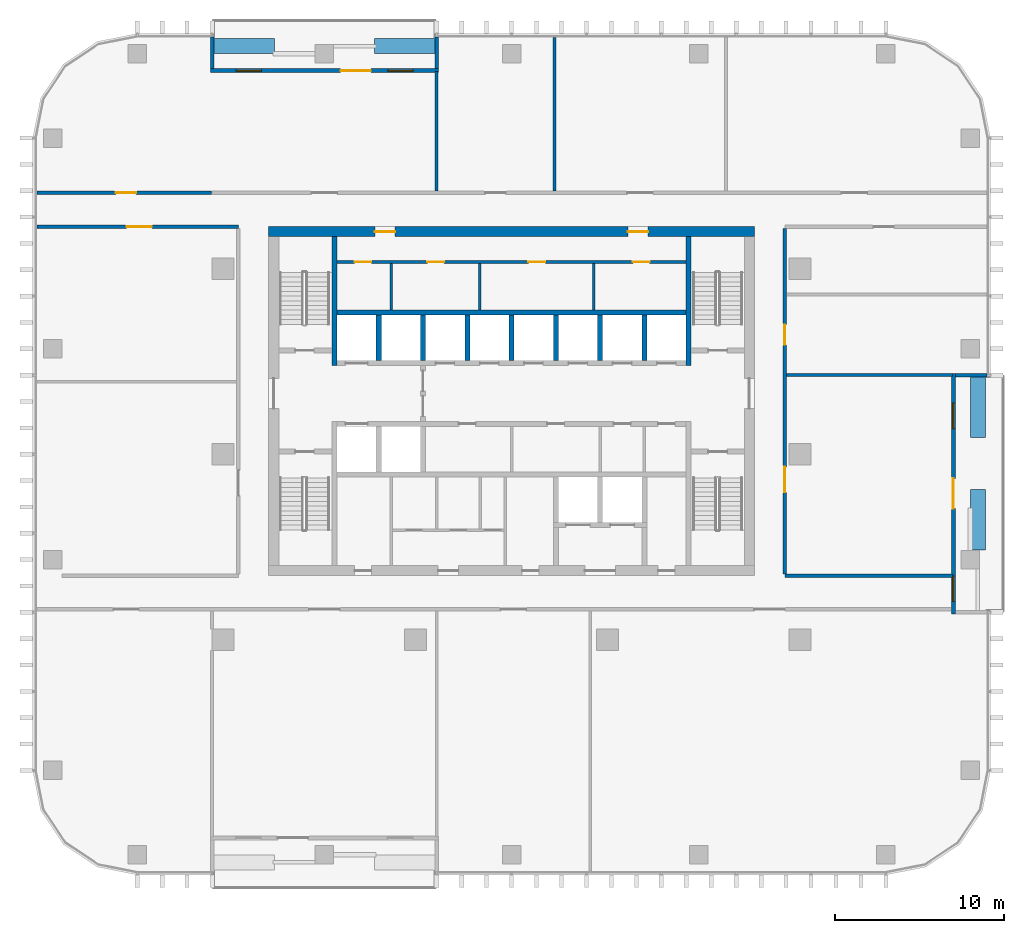
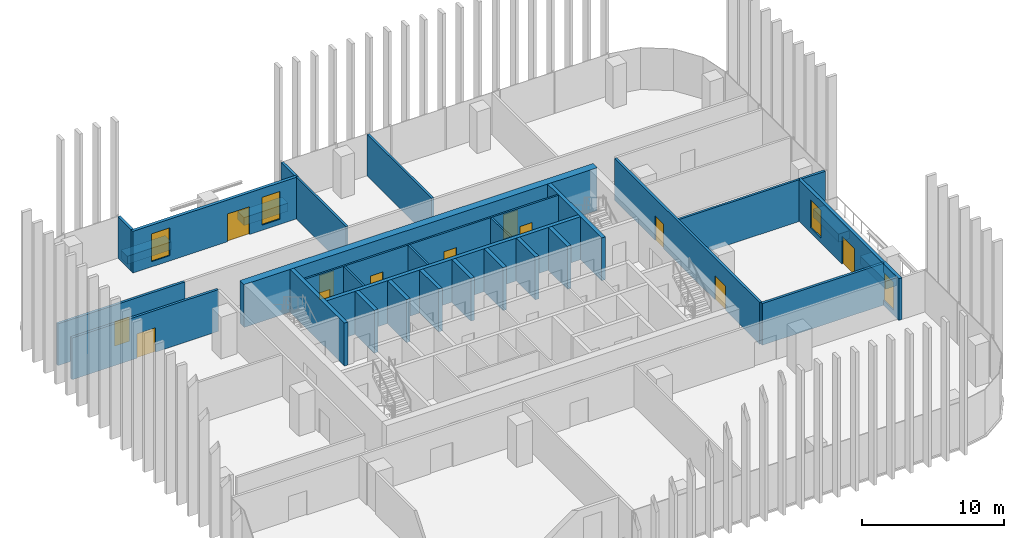
# One storey, part 9 of 15: 31 walls, 12 doors, 4 windows, 16 openings.
"""IFC4 building model written with IfcOpenShell, lengths in metres."""

from ifc_helpers import new_model, si_unit, direction, frame, frame_2d, origin, place, context, subcontext, project, spatial, rectangle, extrude, material, layer, layer_set, type_object, element, fill, save


model = new_model("IFC4")

# Units and contexts
model_context = context("Model", 3, precision=1e-05, world=origin(), true_north=direction((0.0, 1.0)))
body_context = subcontext(model_context, "Body", "Model", "MODEL_VIEW")
ifc_project = project(units=[si_unit("LENGTHUNIT", "METRE"), si_unit("AREAUNIT", "SQUARE_METRE"), si_unit("VOLUMEUNIT", "CUBIC_METRE"), si_unit("PLANEANGLEUNIT", "RADIAN"), si_unit("MASSUNIT", "GRAM", prefix="KILO")], contexts=[model_context])

# Site, building, storey
site_placement = place(None, origin())
site = spatial("IfcSite", under=ifc_project, at=site_placement, CompositionType="ELEMENT")
building_placement = place(site_placement, origin())
building = spatial("IfcBuilding", under=site, at=building_placement, Name="Mopane Tessera Tower", CompositionType="ELEMENT")
storey_placement = place(building_placement, frame((0.0, 0.0, 211.0)))
storey = spatial("IfcBuildingStorey", under=building, at=storey_placement, Name="L44", CompositionType="ELEMENT", Elevation=211.0)

# Walls
ifc_material_1 = material(Name="Fire-rated gypsum board partition")
ifc_layer_1 = layer(ifc_material_1, 0.14990234375)
ifc_layer_set_1 = layer_set([ifc_layer_1], Name="Fire-rated gypsum board partition")
wall_type_1 = type_object("IfcWallType", Name="Core room partition 150 mm", PredefinedType="PARTITIONING", material=ifc_layer_set_1)
for number, where, z_axis, x_axis, name in (
    (1, (-7.125, 8.550048828125, 0.0), (0.0, 0.0, 1.0), (0.0, 1.0, 0.0), "L44 Room partition"),
    (2, (-1.875, 8.550048828125, 0.0), (0.0, 0.0, 1.0), (0.0, 1.0, 0.0), "L44 Room partition"),
    (3, (4.875, 8.550048828125, 0.0), (0.0, 0.0, 1.0), (0.0, 1.0, 0.0), "L44 Room partition"),
):
    element("IfcWall", number, at=place(storey_placement, frame(where, z_axis=z_axis, x_axis=x_axis)), inside=storey, type_object=wall_type_1, Name=name, PredefinedType="PARTITIONING", context=body_context, shape_type="SweptSolid", body=[
        extrude(rectangle(XDim=2.77490234375, YDim=0.14990234375, at=frame_2d((1.387451171875, 0.0))), origin(), (0.0, 0.0, 1.0), 3.699951171875),
    ])

# Wall, openings, doors
wall_1_placement = place(storey_placement, frame((-10.35009765625, 11.39990234375, 0.0), z_axis=(0.0, 0.0, 1.0), x_axis=(1.0, 0.0, 0.0)))
wall_1 = element("IfcWall", 4, at=wall_1_placement, inside=storey, type_object=wall_type_1, Name="L44 Corridor wall", PredefinedType="PARTITIONING", context=body_context, shape_type="SweptSolid", body=[
    extrude(rectangle(XDim=20.7001953125, YDim=0.14990234375, at=frame_2d((10.35009765625, 0.0))), origin(), (0.0, 0.0, 1.0), 3.699951171875),
])
opening_1_placement = place(wall_1_placement, frame((1.03759765625, 0.0, 0.0)))
opening_1 = element("IfcOpeningElement", 5, at=opening_1_placement, cuts=wall_1, Name="Opening RD1", PredefinedType="OPENING", context=body_context, shape_type="SweptSolid", body=[
    extrude(rectangle(XDim=1.0, YDim=2.10009765625, at=frame_2d((0.5, 1.050048828125))), frame((0.0, 0.0869140625, 0.0), z_axis=(0.0, -1.0, 0.0), x_axis=(1.0, 0.0, 0.0)), (0.0, 0.0, 1.0), 0.173828125),
])
opening_2_placement = place(wall_1_placement, frame((5.35009765625, 0.0, 0.0)))
opening_2 = element("IfcOpeningElement", 6, at=opening_2_placement, cuts=wall_1, Name="Opening RD1", PredefinedType="OPENING", context=body_context, shape_type="SweptSolid", body=[
    extrude(rectangle(XDim=1.0, YDim=2.10009765625, at=frame_2d((0.5, 1.050048828125))), frame((0.0, 0.0869140625, 0.0), z_axis=(0.0, -1.0, 0.0), x_axis=(1.0, 0.0, 0.0)), (0.0, 0.0, 1.0), 0.173828125),
])
opening_3_placement = place(wall_1_placement, frame((11.35009765625, 0.0, 0.0)))
opening_3 = element("IfcOpeningElement", 7, at=opening_3_placement, cuts=wall_1, Name="Opening RD1", PredefinedType="OPENING", context=body_context, shape_type="SweptSolid", body=[
    extrude(rectangle(XDim=1.0, YDim=2.10009765625, at=frame_2d((0.5, 1.050048828125))), frame((0.0, 0.0869140625, 0.0), z_axis=(0.0, -1.0, 0.0), x_axis=(1.0, 0.0, 0.0)), (0.0, 0.0, 1.0), 0.173828125),
])
opening_4_placement = place(wall_1_placement, frame((17.53759765625, 0.0, 0.0)))
opening_4 = element("IfcOpeningElement", 8, at=opening_4_placement, cuts=wall_1, Name="Opening RD1", PredefinedType="OPENING", context=body_context, shape_type="SweptSolid", body=[
    extrude(rectangle(XDim=1.0, YDim=2.10009765625, at=frame_2d((0.5, 1.050048828125))), frame((0.0, 0.0869140625, 0.0), z_axis=(0.0, -1.0, 0.0), x_axis=(1.0, 0.0, 0.0)), (0.0, 0.0, 1.0), 0.173828125),
])
ifc_material_2 = material(Name="Timber door", Category="wood")
door_type_1 = type_object("IfcDoorType", Name="Core room door 1000 x 2100", OperationType="SINGLE_SWING_LEFT", PredefinedType="DOOR", material=ifc_material_2)
door_1_placement = place(opening_1_placement, origin())
door_1 = element("IfcDoor", 9, at=door_1_placement, inside=storey, type_object=door_type_1, Name="L44 Room door", OperationType="SINGLE_SWING_LEFT", OverallHeight=2.10009765625, OverallWidth=1.0, PredefinedType="DOOR", context=body_context, shape_type="SweptSolid", body=[
    extrude(rectangle(XDim=1.0, YDim=2.10009765625, at=frame_2d((0.5, 1.050048828125))), frame((0.0, 0.02490234375, 0.0), z_axis=(0.0, -1.0, 0.0), x_axis=(1.0, 0.0, 0.0)), (0.0, 0.0, 1.0), 0.050048828125),
])
fill(opening_1, door_1)
door_2_placement = place(opening_2_placement, origin())
door_2 = element("IfcDoor", 10, at=door_2_placement, inside=storey, type_object=door_type_1, Name="L44 Room door", OperationType="SINGLE_SWING_LEFT", OverallHeight=2.10009765625, OverallWidth=1.0, PredefinedType="DOOR", context=body_context, shape_type="SweptSolid", body=[
    extrude(rectangle(XDim=1.0, YDim=2.10009765625, at=frame_2d((0.5, 1.050048828125))), frame((0.0, 0.02490234375, 0.0), z_axis=(0.0, -1.0, 0.0), x_axis=(1.0, 0.0, 0.0)), (0.0, 0.0, 1.0), 0.050048828125),
])
fill(opening_2, door_2)
door_3_placement = place(opening_3_placement, origin())
door_3 = element("IfcDoor", 11, at=door_3_placement, inside=storey, type_object=door_type_1, Name="L44 Room door", OperationType="SINGLE_SWING_LEFT", OverallHeight=2.10009765625, OverallWidth=1.0, PredefinedType="DOOR", context=body_context, shape_type="SweptSolid", body=[
    extrude(rectangle(XDim=1.0, YDim=2.10009765625, at=frame_2d((0.5, 1.050048828125))), frame((0.0, 0.02490234375, 0.0), z_axis=(0.0, -1.0, 0.0), x_axis=(1.0, 0.0, 0.0)), (0.0, 0.0, 1.0), 0.050048828125),
])
fill(opening_3, door_3)
door_4_placement = place(opening_4_placement, origin())
door_4 = element("IfcDoor", 12, at=door_4_placement, inside=storey, type_object=door_type_1, Name="L44 Room door", OperationType="SINGLE_SWING_LEFT", OverallHeight=2.10009765625, OverallWidth=1.0, PredefinedType="DOOR", context=body_context, shape_type="SweptSolid", body=[
    extrude(rectangle(XDim=1.0, YDim=2.10009765625, at=frame_2d((0.5, 1.050048828125))), frame((0.0, 0.02490234375, 0.0), z_axis=(0.0, -1.0, 0.0), x_axis=(1.0, 0.0, 0.0)), (0.0, 0.0, 1.0), 0.050048828125),
])
fill(opening_4, door_4)

ifc_material_3 = material(Name="Concrete C70/85", Category="concrete")
ifc_layer_2 = layer(ifc_material_3, 0.60009765625)
ifc_layer_set_2 = layer_set([ifc_layer_2], Name="Concrete C70/85")
wall_type_2 = type_object("IfcWallType", Name="Core shear wall 600 mm", PredefinedType="SHEAR", material=ifc_layer_set_2)
wall_2_placement = place(storey_placement, frame((-14.39990234375, 13.199951171875, 0.0), z_axis=(0.0, 0.0, 1.0), x_axis=(1.0, 0.0, 0.0)))
wall_2 = element("IfcWall", 13, at=wall_2_placement, inside=storey, type_object=wall_type_2, Name="L44 Core wall north", PredefinedType="SHEAR", context=body_context, shape_type="SweptSolid", body=[
    extrude(rectangle(XDim=28.7998046875, YDim=0.60009765625, at=frame_2d((14.39990234375, 0.0))), origin(), (0.0, 0.0, 1.0), 3.699951171875),
])
opening_5_placement = place(wall_2_placement, frame((6.300048828125, 0.0, 0.0)))
opening_5 = element("IfcOpeningElement", 14, at=opening_5_placement, cuts=wall_2, Name="Opening RD2", PredefinedType="OPENING", context=body_context, shape_type="SweptSolid", body=[
    extrude(rectangle(XDim=1.199951171875, YDim=2.10009765625, at=frame_2d((0.60009765625, 1.050048828125))), frame((0.0, 0.31201171875, 0.0), z_axis=(0.0, -1.0, 0.0), x_axis=(1.0, 0.0, 0.0)), (0.0, 0.0, 1.0), 0.6240234375),
])
opening_6_placement = place(wall_2_placement, frame((21.300048828125, 0.0, 0.0)))
opening_6 = element("IfcOpeningElement", 15, at=opening_6_placement, cuts=wall_2, Name="Opening RD2", PredefinedType="OPENING", context=body_context, shape_type="SweptSolid", body=[
    extrude(rectangle(XDim=1.199951171875, YDim=2.10009765625, at=frame_2d((0.60009765625, 1.050048828125))), frame((0.0, 0.31201171875, 0.0), z_axis=(0.0, -1.0, 0.0), x_axis=(1.0, 0.0, 0.0)), (0.0, 0.0, 1.0), 0.6240234375),
])
ifc_material_4 = material(Name="Timber door", Category="wood")
door_type_2 = type_object("IfcDoorType", Name="Core corridor door 1200 x 2100", OperationType="SINGLE_SWING_LEFT", PredefinedType="DOOR", material=ifc_material_4)
door_5_placement = place(opening_5_placement, origin())
door_5 = element("IfcDoor", 16, at=door_5_placement, inside=storey, type_object=door_type_2, Name="L44 Corridor door", OperationType="SINGLE_SWING_LEFT", OverallHeight=2.10009765625, OverallWidth=1.199951171875, PredefinedType="DOOR", context=body_context, shape_type="SweptSolid", body=[
    extrude(rectangle(XDim=1.199951171875, YDim=2.10009765625, at=frame_2d((0.60009765625, 1.050048828125))), frame((0.0, 0.02490234375, 0.0), z_axis=(0.0, -1.0, 0.0), x_axis=(1.0, 0.0, 0.0)), (0.0, 0.0, 1.0), 0.050048828125),
])
fill(opening_5, door_5)
door_6_placement = place(opening_6_placement, origin())
door_6 = element("IfcDoor", 17, at=door_6_placement, inside=storey, type_object=door_type_2, Name="L44 Corridor door", OperationType="SINGLE_SWING_RIGHT", OverallHeight=2.10009765625, OverallWidth=1.199951171875, PredefinedType="DOOR", context=body_context, shape_type="SweptSolid", body=[
    extrude(rectangle(XDim=1.199951171875, YDim=2.10009765625, at=frame_2d((0.60009765625, 1.050048828125))), frame((0.0, 0.02490234375, 0.0), z_axis=(0.0, -1.0, 0.0), x_axis=(1.0, 0.0, 0.0)), (0.0, 0.0, 1.0), 0.050048828125),
])
fill(opening_6, door_6)

# Walls
ifc_material_5 = material(Name="Concrete C60/75", Category="concrete")
ifc_layer_3 = layer(ifc_material_5, 0.300048828125)
ifc_layer_set_3 = layer_set([ifc_layer_3], Name="Concrete C60/75")
wall_type_3 = type_object("IfcWallType", Name="Core spine wall 300 mm", PredefinedType="SHEAR", material=ifc_layer_set_3)
for number, where, z_axis, x_axis, name in (
    (18, (-10.5, 5.25, 0.0), (0.0, 0.0, 1.0), (0.0, 1.0, 0.0), "L44 Core spine wall"),
    (19, (10.5, 5.25, 0.0), (0.0, 0.0, 1.0), (0.0, 1.0, 0.0), "L44 Core spine wall"),
):
    element("IfcWall", number, at=place(storey_placement, frame(where, z_axis=z_axis, x_axis=x_axis)), inside=storey, type_object=wall_type_3, Name=name, PredefinedType="SHEAR", context=body_context, shape_type="SweptSolid", body=[
        extrude(rectangle(XDim=7.64990234375, YDim=0.300048828125, at=frame_2d((3.824951171875, 0.0))), origin(), (0.0, 0.0, 1.0), 3.699951171875),
    ])
ifc_material_6 = material(Name="Gypsum board on staggered steel studs, double layer each face, acoustic mineral wool infill", Category="steel")
ifc_layer_4 = layer(ifc_material_6, 0.175048828125)
ifc_layer_set_4 = layer_set([ifc_layer_4], Name="Gypsum board on staggered steel studs, double layer each face, acoustic mineral wool infill")
wall_type_4 = type_object("IfcWallType", Name="Gypsum board acoustic partition 175, rated EI 60", PredefinedType="PARTITIONING", material=ifc_layer_set_4)
wall_3_placement = place(storey_placement, frame((16.300048828125, 4.68994140625, 0.0), z_axis=(0.0, 0.0, 1.0), x_axis=(1.0, 0.0, 0.0)))
element("IfcWall", 20, at=wall_3_placement, inside=storey, type_object=wall_type_4, Name="Partition L44:004", PredefinedType="PARTITIONING", context=body_context, shape_type="SweptSolid", body=[
    extrude(rectangle(XDim=9.849853515625, YDim=0.175048828125, at=frame_2d((4.9248046875, 0.0))), origin(), (0.0, 0.0, 1.0), 3.60009765625),
])
wall_4_placement = place(storey_placement, frame((-4.43994140625, 15.60009765625, 0.0), z_axis=(0.0, 0.0, 1.0), x_axis=(0.0, 1.0, 0.0)))
element("IfcWall", 21, at=wall_4_placement, inside=storey, type_object=wall_type_4, Name="Partition L44:014", PredefinedType="PARTITIONING", context=body_context, shape_type="SweptSolid", body=[
    extrude(rectangle(XDim=7.099853515625, YDim=0.175048828125, at=frame_2d((3.5498046875, 0.0))), origin(), (0.0, 0.0, 1.0), 3.60009765625),
])
wall_5_placement = place(storey_placement, frame((2.5400390625, 15.60009765625, 0.0), z_axis=(0.0, 0.0, 1.0), x_axis=(0.0, 1.0, 0.0)))
element("IfcWall", 22, at=wall_5_placement, inside=storey, type_object=wall_type_4, Name="Partition L44:015", PredefinedType="PARTITIONING", context=body_context, shape_type="SweptSolid", body=[
    extrude(rectangle(XDim=9.099853515625, YDim=0.175048828125, at=frame_2d((4.5498046875, 0.0))), origin(), (0.0, 0.0, 1.0), 3.60009765625),
])
ifc_material_7 = material(Name="Gypsum board on steel studs, two layers each face, mineral wool infill", Category="steel")
ifc_layer_5 = layer(ifc_material_7, 0.199951171875)
ifc_layer_set_5 = layer_set([ifc_layer_5], Name="Gypsum board on steel studs, two layers each face, mineral wool infill")
wall_type_5 = type_object("IfcWallType", Name="Gypsum board corridor wall 200, rated EI 60", PredefinedType="PARTITIONING", material=ifc_layer_set_5)
wall_6_placement = place(storey_placement, frame((16.199951171875, -7.199951171875, 0.0), z_axis=(0.0, 0.0, 1.0), x_axis=(1.0, 0.0, 0.0)))
element("IfcWall", 23, at=wall_6_placement, inside=storey, type_object=wall_type_5, Name="Partition L44:002", PredefinedType="PARTITIONING", context=body_context, shape_type="SweptSolid", body=[
    extrude(rectangle(XDim=9.949951171875, YDim=0.199951171875, at=frame_2d((4.97509765625, 0.0))), origin(), (0.0, 0.0, 1.0), 3.60009765625),
])

# Wall, opening, door
wall_7_placement = place(storey_placement, frame((-28.14990234375, 13.5, 0.0), z_axis=(0.0, 0.0, 1.0), x_axis=(1.0, 0.0, 0.0)))
wall_7 = element("IfcWall", 24, at=wall_7_placement, inside=storey, type_object=wall_type_5, Name="Partition L44:006", PredefinedType="PARTITIONING", context=body_context, shape_type="SweptSolid", body=[
    extrude(rectangle(XDim=11.949951171875, YDim=0.199951171875, at=frame_2d((5.97509765625, 0.0))), origin(), (0.0, 0.0, 1.0), 3.60009765625),
])
opening_7_placement = place(wall_7_placement, frame((5.324951171875, 0.0, 0.0)))
opening_7 = element("IfcOpeningElement", 25, at=opening_7_placement, cuts=wall_7, Name="Opening L44-06", PredefinedType="OPENING", context=body_context, shape_type="SweptSolid", body=[
    extrude(rectangle(XDim=1.5, YDim=2.10009765625, at=frame_2d((0.75, 1.050048828125))), frame((0.0, 0.112060546875, 0.0), z_axis=(0.0, -1.0, 0.0), x_axis=(1.0, 0.0, 0.0)), (0.0, 0.0, 1.0), 0.223876953125),
])
ifc_material_8 = material(Name="Timber veneered steel-framed fire door", Category="steel")
door_type_3 = type_object("IfcDoorType", Name="Fire door pair FD60 1500 x 2100", OperationType="DOUBLE_DOOR_SINGLE_SWING", PredefinedType="DOOR", material=ifc_material_8)
door_7_placement = place(opening_7_placement, origin())
door_7 = element("IfcDoor", 26, at=door_7_placement, inside=storey, type_object=door_type_3, Name="Door L44-06", ObjectType="D17A", OperationType="DOUBLE_DOOR_SINGLE_SWING", OverallHeight=2.10009765625, OverallWidth=1.5, PredefinedType="DOOR", context=body_context, shape_type="SweptSolid", body=[
    extrude(rectangle(XDim=1.5, YDim=2.10009765625, at=frame_2d((0.75, 1.050048828125))), frame((0.0, 0.02490234375, 0.0), z_axis=(0.0, -1.0, 0.0), x_axis=(1.0, 0.0, 0.0)), (0.0, 0.0, 1.0), 0.050048828125),
])
fill(opening_7, door_7)

wall_8_placement = place(storey_placement, frame((-28.14990234375, 15.5, 0.0), z_axis=(0.0, 0.0, 1.0), x_axis=(1.0, 0.0, 0.0)))
wall_8 = element("IfcWall", 27, at=wall_8_placement, inside=storey, type_object=wall_type_5, Name="Partition L44:008", PredefinedType="PARTITIONING", context=body_context, shape_type="SweptSolid", body=[
    extrude(rectangle(XDim=10.364990234375, YDim=0.199951171875, at=frame_2d((5.1826171875, 0.0))), origin(), (0.0, 0.0, 1.0), 3.60009765625),
])
opening_8_placement = place(wall_8_placement, frame((4.6826171875, 0.0, 0.0)))
opening_8 = element("IfcOpeningElement", 28, at=opening_8_placement, cuts=wall_8, Name="Opening L44-05", PredefinedType="OPENING", context=body_context, shape_type="SweptSolid", body=[
    extrude(rectangle(XDim=1.199951171875, YDim=2.10009765625, at=frame_2d((0.60009765625, 1.050048828125))), frame((0.0, 0.112060546875, 0.0), z_axis=(0.0, -1.0, 0.0), x_axis=(1.0, 0.0, 0.0)), (0.0, 0.0, 1.0), 0.223876953125),
])
ifc_material_9 = material(Name="Timber veneered steel-framed fire door", Category="steel")
door_type_4 = type_object("IfcDoorType", Name="Fire door FD60 1200 x 2100", OperationType="SINGLE_SWING_LEFT", PredefinedType="DOOR", material=ifc_material_9)
door_8_placement = place(opening_8_placement, origin())
door_8 = element("IfcDoor", 29, at=door_8_placement, inside=storey, type_object=door_type_4, Name="Door L44-05", ObjectType="D15A", OperationType="SINGLE_SWING_RIGHT", OverallHeight=2.10009765625, OverallWidth=1.199951171875, PredefinedType="DOOR", context=body_context, shape_type="SweptSolid", body=[
    extrude(rectangle(XDim=1.199951171875, YDim=2.10009765625, at=frame_2d((0.60009765625, 1.050048828125))), frame((0.0, 0.02490234375, 0.0), z_axis=(0.0, -1.0, 0.0), x_axis=(1.0, 0.0, 0.0)), (0.0, 0.0, 1.0), 0.050048828125),
])
fill(opening_8, door_8)

# Wall, openings, doors
wall_9_placement = place(storey_placement, frame((16.199951171875, -7.10009765625, 0.0), z_axis=(0.0, 0.0, 1.0), x_axis=(0.0, 1.0, 0.0)))
wall_9 = element("IfcWall", 30, at=wall_9_placement, inside=storey, type_object=wall_type_5, Name="Partition L44:018", PredefinedType="PARTITIONING", context=body_context, shape_type="SweptSolid", body=[
    extrude(rectangle(XDim=20.5, YDim=0.199951171875, at=frame_2d((10.25, 0.0))), origin(), (0.0, 0.0, 1.0), 3.60009765625),
])
opening_9_placement = place(wall_9_placement, frame((4.844970703125, 0.0, 0.0)))
opening_9 = element("IfcOpeningElement", 31, at=opening_9_placement, cuts=wall_9, Name="Opening L44-10", PredefinedType="OPENING", context=body_context, shape_type="SweptSolid", body=[
    extrude(rectangle(XDim=1.5, YDim=2.10009765625, at=frame_2d((0.75, 1.050048828125))), frame((0.0, 0.112060546875, 0.0), z_axis=(0.0, -1.0, 0.0), x_axis=(1.0, 0.0, 0.0)), (0.0, 0.0, 1.0), 0.223876953125),
])
opening_10_placement = place(wall_9_placement, frame((13.58740234375, 0.0, 0.0)))
opening_10 = element("IfcOpeningElement", 32, at=opening_10_placement, cuts=wall_9, Name="Opening L44-14", PredefinedType="OPENING", context=body_context, shape_type="SweptSolid", body=[
    extrude(rectangle(XDim=1.199951171875, YDim=2.10009765625, at=frame_2d((0.60009765625, 1.050048828125))), frame((0.0, 0.112060546875, 0.0), z_axis=(0.0, -1.0, 0.0), x_axis=(1.0, 0.0, 0.0)), (0.0, 0.0, 1.0), 0.223876953125),
])
door_9_placement = place(opening_10_placement, origin())
door_9 = element("IfcDoor", 33, at=door_9_placement, inside=storey, type_object=door_type_4, Name="Door L44-14", ObjectType="D15A", OperationType="SINGLE_SWING_RIGHT", OverallHeight=2.10009765625, OverallWidth=1.199951171875, PredefinedType="DOOR", context=body_context, shape_type="SweptSolid", body=[
    extrude(rectangle(XDim=1.199951171875, YDim=2.10009765625, at=frame_2d((0.60009765625, 1.050048828125))), frame((0.0, 0.02490234375, 0.0), z_axis=(0.0, -1.0, 0.0), x_axis=(1.0, 0.0, 0.0)), (0.0, 0.0, 1.0), 0.050048828125),
])
fill(opening_10, door_9)
door_10_placement = place(opening_9_placement, origin())
door_10 = element("IfcDoor", 34, at=door_10_placement, inside=storey, type_object=door_type_3, Name="Door L44-10", ObjectType="D17A", OperationType="DOUBLE_DOOR_SINGLE_SWING", OverallHeight=2.10009765625, OverallWidth=1.5, PredefinedType="DOOR", context=body_context, shape_type="SweptSolid", body=[
    extrude(rectangle(XDim=1.5, YDim=2.10009765625, at=frame_2d((0.75, 1.050048828125))), frame((0.0, 0.02490234375, 0.0), z_axis=(0.0, -1.0, 0.0), x_axis=(1.0, 0.0, 0.0)), (0.0, 0.0, 1.0), 0.050048828125),
])
fill(opening_9, door_10)

# Walls
ifc_material_10 = material(Name="Concrete C50/60", Category="concrete")
ifc_layer_6 = layer(ifc_material_10, 0.300048828125)
ifc_layer_set_6 = layer_set([ifc_layer_6], Name="Concrete C50/60")
wall_type_6 = type_object("IfcWallType", Name="Lift and stair shaft wall 300 mm", PredefinedType="SOLIDWALL", material=ifc_layer_set_6)
wall_10_placement = place(storey_placement, frame((-10.35009765625, 8.39990234375, 0.0), z_axis=(0.0, 0.0, 1.0), x_axis=(1.0, 0.0, 0.0)))
element("IfcWall", 35, at=wall_10_placement, inside=storey, type_object=wall_type_6, Name="L44 Lift shaft rear wall", PredefinedType="SOLIDWALL", context=body_context, shape_type="SweptSolid", body=[
    extrude(rectangle(XDim=20.7001953125, YDim=0.300048828125, at=frame_2d((10.35009765625, 0.0))), origin(), (0.0, 0.0, 1.0), 3.699951171875),
])
for number, where, z_axis, x_axis, name in (
    (36, (-7.875, 5.550048828125, 0.0), (0.0, 0.0, 1.0), (0.0, 1.0, 0.0), "L44 Lift shaft wall"),
    (37, (-5.25, 5.550048828125, 0.0), (0.0, 0.0, 1.0), (0.0, 1.0, 0.0), "L44 Lift shaft wall"),
    (38, (-2.625, 5.550048828125, 0.0), (0.0, 0.0, 1.0), (0.0, 1.0, 0.0), "L44 Lift shaft wall"),
    (39, (0.0, 5.550048828125, 0.0), (0.0, 0.0, 1.0), (0.0, 1.0, 0.0), "L44 Lift shaft wall"),
    (40, (2.625, 5.550048828125, 0.0), (0.0, 0.0, 1.0), (0.0, 1.0, 0.0), "L44 Lift shaft wall"),
    (41, (5.25, 5.550048828125, 0.0), (0.0, 0.0, 1.0), (0.0, 1.0, 0.0), "L44 Lift shaft wall"),
    (42, (7.875, 5.550048828125, 0.0), (0.0, 0.0, 1.0), (0.0, 1.0, 0.0), "L44 Lift shaft wall"),
):
    element("IfcWall", number, at=place(storey_placement, frame(where, z_axis=z_axis, x_axis=x_axis)), inside=storey, type_object=wall_type_6, Name=name, PredefinedType="SOLIDWALL", context=body_context, shape_type="SweptSolid", body=[
        extrude(rectangle(XDim=2.699951171875, YDim=0.300048828125, at=frame_2d((1.35009765625, 0.0))), origin(), (0.0, 0.0, 1.0), 3.699951171875),
    ])
ifc_material_11 = material(Name="Reinforced concrete C32/40 with waterproofing", Category="concrete")
ifc_layer_7 = layer(ifc_material_11, 0.89990234375)
ifc_layer_set_7 = layer_set([ifc_layer_7], Name="Reinforced concrete C32/40 with waterproofing")
wall_type_7 = type_object("IfcWallType", Name="Planter trough 3600 x 900", PredefinedType="STANDARD", material=ifc_layer_set_7)
for number, where, z_axis, x_axis, name in (
    (43, (27.64990234375, -5.679931640625, 0.0), (0.0, 0.0, 1.0), (0.0, 1.0, 0.0), "e:nw:L44:N2:pl0"),
    (44, (27.64990234375, 0.987548828125, 0.0), (0.0, 0.0, 1.0), (0.0, 1.0, 0.0), "e:nw:L44:N2:pl1"),
    (45, (-4.5400390625, 24.199951171875, 0.0), (0.0, 0.0, 1.0), (-1.0, 0.0, 0.0), "e:nw:L44:N3:pl0"),
    (46, (-14.06005859375, 24.199951171875, 0.0), (0.0, 0.0, 1.0), (-1.0, 0.0, 0.0), "e:nw:L44:N3:pl1"),
):
    element("IfcWall", number, at=place(storey_placement, frame(where, z_axis=z_axis, x_axis=x_axis)), inside=storey, type_object=wall_type_7, Name=name, PredefinedType="STANDARD", context=body_context, shape_type="SweptSolid", body=[
        extrude(rectangle(XDim=3.599853515625, YDim=0.89990234375, at=frame_2d((1.7998046875, 0.0))), origin(), (0.0, 0.0, 1.0), 0.699951171875),
    ])
ifc_material_12 = material(Name="Blockwork with glazed tile facing", Category="masonry")
ifc_layer_8 = layer(ifc_material_12, 0.199951171875)
ifc_layer_set_8 = layer_set([ifc_layer_8], Name="Blockwork with glazed tile facing")
wall_type_8 = type_object("IfcWallType", Name="Terrace cheek wall 200", PredefinedType="STANDARD", material=ifc_layer_set_8)
for number, where, z_axis, x_axis, name in (
    (47, (28.199951171875, 4.6875, 0.0), (0.0, 0.0, 1.0), (-1.0, 0.0, 0.0), "e:nw:L44:N2:cheekb"),
    (48, (-4.43994140625, 24.75, 0.0), (0.0, 0.0, 1.0), (0.0, -1.0, 0.0), "e:nw:L44:N3:cheeka"),
    (49, (-17.760009765625, 24.75, 0.0), (0.0, 0.0, 1.0), (0.0, -1.0, 0.0), "e:nw:L44:N3:cheekb"),
):
    element("IfcWall", number, at=place(storey_placement, frame(where, z_axis=z_axis, x_axis=x_axis)), inside=storey, type_object=wall_type_8, Name=name, PredefinedType="STANDARD", context=body_context, shape_type="SweptSolid", body=[
        extrude(rectangle(XDim=1.875, YDim=0.199951171875, at=frame_2d((0.9375, 0.0))), origin(), (0.0, 0.0, 1.0), 3.60009765625),
    ])

# Wall, openings, windows, door
ifc_material_13 = material(Name="Blockwork with ultramarine glazed tile facing", Category="masonry")
ifc_layer_9 = layer(ifc_material_13, 0.25)
ifc_layer_set_9 = layer_set([ifc_layer_9], Name="Blockwork with ultramarine glazed tile facing")
wall_type_9 = type_object("IfcWallType", Name="Tile-clad external wall 250, ultramarine", PredefinedType="STANDARD", material=ifc_layer_set_9)
wall_11_placement = place(storey_placement, frame((26.199951171875, -9.47509765625, 0.0), z_axis=(0.0, 0.0, 1.0), x_axis=(0.0, 1.0, 0.0)))
wall_11 = element("IfcWall", 50, at=wall_11_placement, inside=storey, type_object=wall_type_9, Name="e:nw:L44:N2:back", PredefinedType="STANDARD", context=body_context, shape_type="SweptSolid", body=[
    extrude(rectangle(XDim=14.2626953125, YDim=0.25, at=frame_2d((7.13134765625, 0.0))), origin(), (0.0, 0.0, 1.0), 3.60009765625),
])
opening_11_placement = place(wall_11_placement, frame((0.75, 0.0, 0.449951171875)))
opening_11 = element("IfcOpeningElement", 51, at=opening_11_placement, cuts=wall_11, Name="Opening NW442A", PredefinedType="OPENING", context=body_context, shape_type="SweptSolid", body=[
    extrude(rectangle(XDim=1.5, YDim=2.39990234375, at=frame_2d((0.75, 1.199951171875))), frame((0.0, 0.136962890625, 0.0), z_axis=(0.0, -1.0, 0.0), x_axis=(1.0, 0.0, 0.0)), (0.0, 0.0, 1.0), 0.27392578125),
])
opening_12_placement = place(wall_11_placement, frame((6.25, 0.0, 0.0)))
opening_12 = element("IfcOpeningElement", 52, at=opening_12_placement, cuts=wall_11, Name="Opening ND442", PredefinedType="OPENING", context=body_context, shape_type="SweptSolid", body=[
    extrude(rectangle(XDim=1.800048828125, YDim=2.39990234375, at=frame_2d((0.89990234375, 1.199951171875))), frame((0.0, 0.136962890625, 0.0), z_axis=(0.0, -1.0, 0.0), x_axis=(1.0, 0.0, 0.0)), (0.0, 0.0, 1.0), 0.27392578125),
])
opening_13_placement = place(wall_11_placement, frame((11.0, 0.0, 0.449951171875)))
opening_13 = element("IfcOpeningElement", 53, at=opening_13_placement, cuts=wall_11, Name="Opening NW442B", PredefinedType="OPENING", context=body_context, shape_type="SweptSolid", body=[
    extrude(rectangle(XDim=1.5, YDim=2.39990234375, at=frame_2d((0.75, 1.199951171875))), frame((0.0, 0.136962890625, 0.0), z_axis=(0.0, -1.0, 0.0), x_axis=(1.0, 0.0, 0.0)), (0.0, 0.0, 1.0), 0.27392578125),
])
ifc_material_14 = material(Name="Clear laminated glass", Category="glass")
window_type = type_object("IfcWindowType", Name="Fixed window 1500 x 2400", PartitioningType="SINGLE_PANEL", PredefinedType="WINDOW", material=ifc_material_14)
window_1_placement = place(opening_11_placement, origin())
window_1 = element("IfcWindow", 54, at=window_1_placement, inside=storey, type_object=window_type, Name="e:nw:L44:N2:win0", OverallHeight=2.39990234375, OverallWidth=1.5, PartitioningType="SINGLE_PANEL", PredefinedType="WINDOW", context=body_context, shape_type="SweptSolid", body=[
    extrude(rectangle(XDim=1.5, YDim=2.39990234375, at=frame_2d((0.75, 1.199951171875))), frame((0.0, 0.030029296875, 0.0), z_axis=(0.0, -1.0, 0.0), x_axis=(1.0, 0.0, 0.0)), (0.0, 0.0, 1.0), 0.06005859375),
])
fill(opening_11, window_1)
window_2_placement = place(opening_13_placement, origin())
window_2 = element("IfcWindow", 55, at=window_2_placement, inside=storey, type_object=window_type, Name="e:nw:L44:N2:win2", OverallHeight=2.39990234375, OverallWidth=1.5, PartitioningType="SINGLE_PANEL", PredefinedType="WINDOW", context=body_context, shape_type="SweptSolid", body=[
    extrude(rectangle(XDim=1.5, YDim=2.39990234375, at=frame_2d((0.75, 1.199951171875))), frame((0.0, 0.030029296875, 0.0), z_axis=(0.0, -1.0, 0.0), x_axis=(1.0, 0.0, 0.0)), (0.0, 0.0, 1.0), 0.06005859375),
])
fill(opening_13, window_2)
ifc_material_15 = material(Name="Aluminium and clear glass", Category="aluminium")
door_type_5 = type_object("IfcDoorType", Name="Terrace double door 1800 x 2400", OperationType="DOUBLE_DOOR_SINGLE_SWING", PredefinedType="DOOR", material=ifc_material_15)
door_11_placement = place(opening_12_placement, origin())
door_11 = element("IfcDoor", 56, at=door_11_placement, inside=storey, type_object=door_type_5, Name="e:nw:L44:N2:door", ObjectType="D1", OperationType="DOUBLE_DOOR_SINGLE_SWING", OverallHeight=2.39990234375, OverallWidth=1.800048828125, PredefinedType="DOOR", context=body_context, shape_type="SweptSolid", body=[
    extrude(rectangle(XDim=1.800048828125, YDim=2.39990234375, at=frame_2d((0.89990234375, 1.199951171875))), frame((0.0, 0.02490234375, 0.0), z_axis=(0.0, -1.0, 0.0), x_axis=(1.0, 0.0, 0.0)), (0.0, 0.0, 1.0), 0.050048828125),
])
fill(opening_12, door_11)

wall_12_placement = place(storey_placement, frame((-4.340087890625, 22.75, 0.0), z_axis=(0.0, 0.0, 1.0), x_axis=(-1.0, 0.0, 0.0)))
wall_12 = element("IfcWall", 57, at=wall_12_placement, inside=storey, type_object=wall_type_9, Name="e:nw:L44:N3:back", PredefinedType="STANDARD", context=body_context, shape_type="SweptSolid", body=[
    extrude(rectangle(XDim=13.52001953125, YDim=0.25, at=frame_2d((6.760009765625, 0.0))), origin(), (0.0, 0.0, 1.0), 3.60009765625),
])
opening_14_placement = place(wall_12_placement, frame((1.5, 0.0, 0.449951171875)))
opening_14 = element("IfcOpeningElement", 58, at=opening_14_placement, cuts=wall_12, Name="Opening NW443A", PredefinedType="OPENING", context=body_context, shape_type="SweptSolid", body=[
    extrude(rectangle(XDim=1.5, YDim=2.39990234375, at=frame_2d((0.75, 1.199951171875))), frame((0.0, 0.136962890625, 0.0), z_axis=(0.0, -1.0, 0.0), x_axis=(1.0, 0.0, 0.0)), (0.0, 0.0, 1.0), 0.27392578125),
])
opening_15_placement = place(wall_12_placement, frame((4.0, 0.0, 0.0)))
opening_15 = element("IfcOpeningElement", 59, at=opening_15_placement, cuts=wall_12, Name="Opening ND443", PredefinedType="OPENING", context=body_context, shape_type="SweptSolid", body=[
    extrude(rectangle(XDim=1.800048828125, YDim=2.39990234375, at=frame_2d((0.89990234375, 1.199951171875))), frame((0.0, 0.136962890625, 0.0), z_axis=(0.0, -1.0, 0.0), x_axis=(1.0, 0.0, 0.0)), (0.0, 0.0, 1.0), 0.27392578125),
])
opening_16_placement = place(wall_12_placement, frame((10.5, 0.0, 0.449951171875)))
opening_16 = element("IfcOpeningElement", 60, at=opening_16_placement, cuts=wall_12, Name="Opening NW443B", PredefinedType="OPENING", context=body_context, shape_type="SweptSolid", body=[
    extrude(rectangle(XDim=1.5, YDim=2.39990234375, at=frame_2d((0.75, 1.199951171875))), frame((0.0, 0.136962890625, 0.0), z_axis=(0.0, -1.0, 0.0), x_axis=(1.0, 0.0, 0.0)), (0.0, 0.0, 1.0), 0.27392578125),
])
window_3_placement = place(opening_14_placement, origin())
window_3 = element("IfcWindow", 61, at=window_3_placement, inside=storey, type_object=window_type, Name="e:nw:L44:N3:win0", OverallHeight=2.39990234375, OverallWidth=1.5, PartitioningType="SINGLE_PANEL", PredefinedType="WINDOW", context=body_context, shape_type="SweptSolid", body=[
    extrude(rectangle(XDim=1.5, YDim=2.39990234375, at=frame_2d((0.75, 1.199951171875))), frame((0.0, 0.030029296875, 0.0), z_axis=(0.0, -1.0, 0.0), x_axis=(1.0, 0.0, 0.0)), (0.0, 0.0, 1.0), 0.06005859375),
])
fill(opening_14, window_3)
window_4_placement = place(opening_16_placement, origin())
window_4 = element("IfcWindow", 62, at=window_4_placement, inside=storey, type_object=window_type, Name="e:nw:L44:N3:win2", OverallHeight=2.39990234375, OverallWidth=1.5, PartitioningType="SINGLE_PANEL", PredefinedType="WINDOW", context=body_context, shape_type="SweptSolid", body=[
    extrude(rectangle(XDim=1.5, YDim=2.39990234375, at=frame_2d((0.75, 1.199951171875))), frame((0.0, 0.030029296875, 0.0), z_axis=(0.0, -1.0, 0.0), x_axis=(1.0, 0.0, 0.0)), (0.0, 0.0, 1.0), 0.06005859375),
])
fill(opening_16, window_4)
door_12_placement = place(opening_15_placement, origin())
door_12 = element("IfcDoor", 63, at=door_12_placement, inside=storey, type_object=door_type_5, Name="e:nw:L44:N3:door", ObjectType="D1", OperationType="DOUBLE_DOOR_SINGLE_SWING", OverallHeight=2.39990234375, OverallWidth=1.800048828125, PredefinedType="DOOR", context=body_context, shape_type="SweptSolid", body=[
    extrude(rectangle(XDim=1.800048828125, YDim=2.39990234375, at=frame_2d((0.89990234375, 1.199951171875))), frame((0.0, 0.02490234375, 0.0), z_axis=(0.0, -1.0, 0.0), x_axis=(1.0, 0.0, 0.0)), (0.0, 0.0, 1.0), 0.050048828125),
])
fill(opening_15, door_12)

save(model, "model.ifc")
